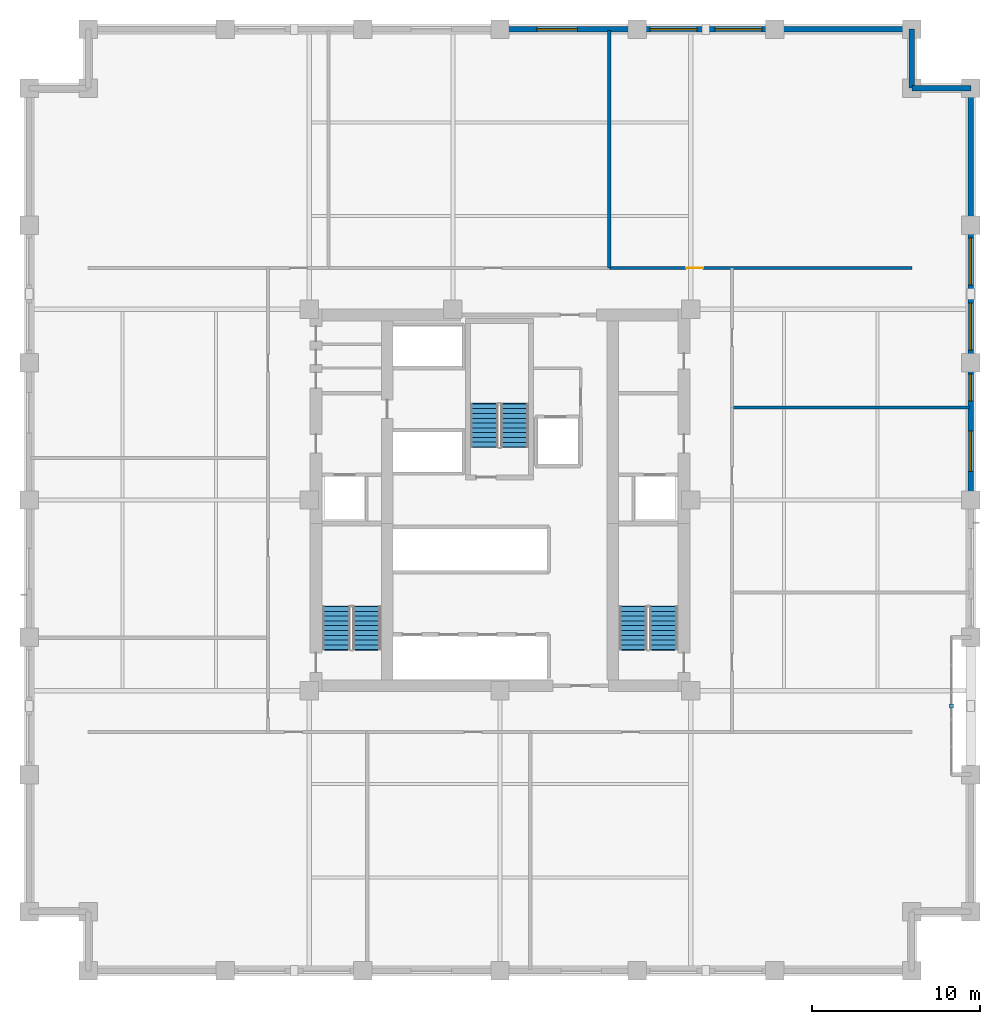
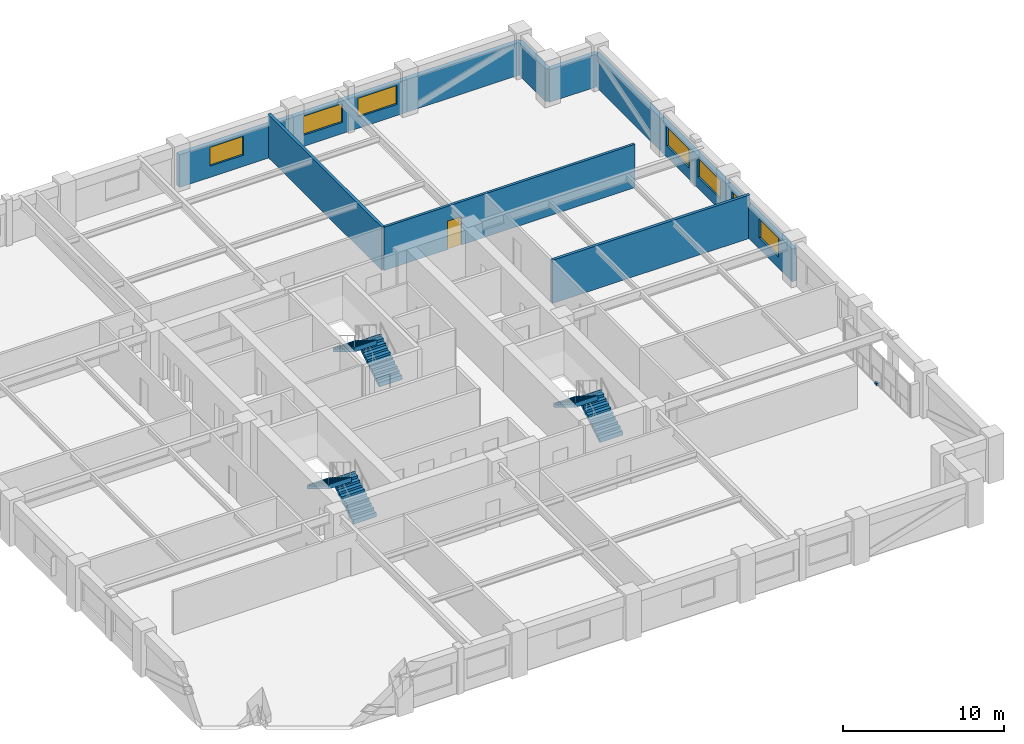
# One storey, part 10 of 13: 11 walls, 7 windows, 6 stair flights, 1 discrete accessory, 1 door, 8 openings, 3 elements without a shape of their own.
"""IFC4 building model written with IfcOpenShell, lengths in metres."""

from ifc_helpers import new_model, si_unit, direction, frame, frame_2d, origin, origin_2d, place, context, subcontext, project, spatial, polyline, rectangle, outline, extrude, material, layer, layer_set, type_object, element, fill, aggregate, save


model = new_model("IFC4")

# Units and contexts
model_context = context("Model", 3, precision=1e-05, world=origin(), true_north=direction((0.0, 1.0)))
body_context = subcontext(model_context, "Body", "Model", "MODEL_VIEW")
ifc_project = project(units=[si_unit("LENGTHUNIT", "METRE"), si_unit("AREAUNIT", "SQUARE_METRE"), si_unit("VOLUMEUNIT", "CUBIC_METRE"), si_unit("PLANEANGLEUNIT", "RADIAN"), si_unit("MASSUNIT", "GRAM", prefix="KILO")], contexts=[model_context])

# Site, building, storey
site_placement = place(None, origin())
site = spatial("IfcSite", under=ifc_project, at=site_placement, CompositionType="ELEMENT")
building_placement = place(site_placement, origin())
building = spatial("IfcBuilding", under=site, at=building_placement, Name="Nhamokura Convention Tower", CompositionType="ELEMENT")
storey_placement = place(building_placement, frame((0.0, 0.0, 92.75)))
storey = spatial("IfcBuildingStorey", under=building, at=storey_placement, Name="L22", CompositionType="ELEMENT", Elevation=92.75)

# Wall, opening, window
ifc_material_1 = material(Name="Bronze-pigmented precast concrete C45/55", Category="concrete")
ifc_layer_1 = layer(ifc_material_1, 0.320068359375)
ifc_layer_set_1 = layer_set([ifc_layer_1], Name="BronzePrecastSpandrel_320")
wall_type_1 = type_object("IfcWallType", Name="BronzePrecastSpandrel_320", PredefinedType="USERDEFINED", material=ifc_layer_set_1)
wall_1_placement = place(storey_placement, frame((32.0, 60.0, 0.0), z_axis=(0.0, 0.0, 1.0), x_axis=(1.0, 0.0, 0.0)))
wall_1 = element("IfcWall", 1, at=wall_1_placement, inside=storey, type_object=wall_type_1, Name="L22 Masonry-Frame Wall NORTH 3", ObjectType="SPANDREL_WALL", PredefinedType="USERDEFINED", context=body_context, shape_type="SweptSolid", body=[
    extrude(rectangle(XDim=8.166748046875, YDim=0.320068359375, at=frame_2d((4.08349609375, 0.0))), origin(), (0.0, 0.0, 1.0), 2.47998046875),
])
opening_1_placement = place(wall_1_placement, frame((2.199951171875, 0.0, 0.85009765625)))
opening_1 = element("IfcOpeningElement", 2, at=opening_1_placement, cuts=wall_1, Name="Opening W-03", PredefinedType="OPENING", context=body_context, shape_type="SweptSolid", body=[
    extrude(rectangle(XDim=2.39990234375, YDim=1.429931640625, at=frame_2d((1.199951171875, 0.71484375))), frame((0.0, 0.169921875, 0.0), z_axis=(0.0, -1.0, 0.0), x_axis=(1.0, 0.0, 0.0)), (0.0, 0.0, 1.0), 0.340087890625),
])
ifc_material_2 = material(Name="Solar-control bronze low-E double glass", Category="glass")
window_type_1 = type_object("IfcWindowType", Name="HotelBayWindow_2400", PartitioningType="DOUBLE_PANEL_VERTICAL", PredefinedType="WINDOW", material=ifc_material_2)
window_1_placement = place(opening_1_placement, origin())
window_1 = element("IfcWindow", 3, at=window_1_placement, inside=storey, type_object=window_type_1, Name="L22 Facade Window NORTH 3-1", OverallHeight=1.429931640625, OverallWidth=2.39990234375, PartitioningType="SINGLE_PANEL", PredefinedType="WINDOW", context=body_context, shape_type="SweptSolid", body=[
    extrude(rectangle(XDim=2.39990234375, YDim=1.429931640625, at=frame_2d((1.199951171875, 0.71484375))), frame((0.0, 0.030029296875, 0.0), z_axis=(0.0, -1.0, 0.0), x_axis=(1.0, 0.0, 0.0)), (0.0, 0.0, 1.0), 0.06005859375),
])
fill(opening_1, window_1)

# Wall, openings, windows
wall_2_placement = place(storey_placement, frame((40.166748046875, 60.0, 0.0), z_axis=(0.0, 0.0, 1.0), x_axis=(1.0, 0.0, 0.0)))
wall_2 = element("IfcWall", 4, at=wall_2_placement, inside=storey, type_object=wall_type_1, Name="L22 Masonry-Frame Wall NORTH 4", ObjectType="SPANDREL_WALL", PredefinedType="USERDEFINED", context=body_context, shape_type="SweptSolid", body=[
    extrude(rectangle(XDim=8.16650390625, YDim=0.320068359375, at=frame_2d((4.083251953125, 0.0))), origin(), (0.0, 0.0, 1.0), 2.47998046875),
])
opening_2_placement = place(wall_2_placement, frame((0.74169921875, 0.0, 0.85009765625)))
opening_2 = element("IfcOpeningElement", 5, at=opening_2_placement, cuts=wall_2, Name="Opening W-04", PredefinedType="OPENING", context=body_context, shape_type="SweptSolid", body=[
    extrude(rectangle(XDim=2.800048828125, YDim=1.429931640625, at=frame_2d((1.39990234375, 0.71484375))), frame((0.0, 0.169921875, 0.0), z_axis=(0.0, -1.0, 0.0), x_axis=(1.0, 0.0, 0.0)), (0.0, 0.0, 1.0), 0.340087890625),
])
opening_3_placement = place(wall_2_placement, frame((4.625, 0.0, 0.85009765625)))
opening_3 = element("IfcOpeningElement", 6, at=opening_3_placement, cuts=wall_2, Name="Opening W-04", PredefinedType="OPENING", context=body_context, shape_type="SweptSolid", body=[
    extrude(rectangle(XDim=2.800048828125, YDim=1.429931640625, at=frame_2d((1.39990234375, 0.71484375))), frame((0.0, 0.169921875, 0.0), z_axis=(0.0, -1.0, 0.0), x_axis=(1.0, 0.0, 0.0)), (0.0, 0.0, 1.0), 0.340087890625),
])
ifc_material_3 = material(Name="Solar-control bronze low-E double glass", Category="glass")
window_type_2 = type_object("IfcWindowType", Name="HotelSuiteWindow_2800", PartitioningType="DOUBLE_PANEL_VERTICAL", PredefinedType="WINDOW", material=ifc_material_3)
window_2_placement = place(opening_2_placement, origin())
window_2 = element("IfcWindow", 7, at=window_2_placement, inside=storey, type_object=window_type_2, Name="L22 Facade Window NORTH 4-1", OverallHeight=1.429931640625, OverallWidth=2.800048828125, PartitioningType="SINGLE_PANEL", PredefinedType="WINDOW", context=body_context, shape_type="SweptSolid", body=[
    extrude(rectangle(XDim=2.800048828125, YDim=1.429931640625, at=frame_2d((1.39990234375, 0.71484375))), frame((0.0, 0.030029296875, 0.0), z_axis=(0.0, -1.0, 0.0), x_axis=(1.0, 0.0, 0.0)), (0.0, 0.0, 1.0), 0.06005859375),
])
fill(opening_2, window_2)
window_3_placement = place(opening_3_placement, origin())
window_3 = element("IfcWindow", 8, at=window_3_placement, inside=storey, type_object=window_type_2, Name="L22 Facade Window NORTH 4-2", OverallHeight=1.429931640625, OverallWidth=2.800048828125, PartitioningType="SINGLE_PANEL", PredefinedType="WINDOW", context=body_context, shape_type="SweptSolid", body=[
    extrude(rectangle(XDim=2.800048828125, YDim=1.429931640625, at=frame_2d((1.39990234375, 0.71484375))), frame((0.0, 0.030029296875, 0.0), z_axis=(0.0, -1.0, 0.0), x_axis=(1.0, 0.0, 0.0)), (0.0, 0.0, 1.0), 0.06005859375),
])
fill(opening_3, window_3)

# Wall
wall_3_placement = place(storey_placement, frame((48.333251953125, 60.0, 0.0), z_axis=(0.0, 0.0, 1.0), x_axis=(1.0, 0.0, 0.0)))
element("IfcWall", 9, at=wall_3_placement, inside=storey, type_object=wall_type_1, Name="L22 Braced-Bay Precast Wall NORTH 5", ObjectType="SPANDREL_WALL", PredefinedType="USERDEFINED", context=body_context, shape_type="SweptSolid", body=[
    extrude(rectangle(XDim=8.166748046875, YDim=0.320068359375, at=frame_2d((4.08349609375, 0.0))), origin(), (0.0, 0.0, 1.0), 2.47998046875),
])

# Wall, openings, windows
wall_4_placement = place(storey_placement, frame((60.0, 40.166748046875, 0.0), z_axis=(0.0, 0.0, 1.0), x_axis=(0.0, -1.0, 0.0)))
wall_4 = element("IfcWall", 10, at=wall_4_placement, inside=storey, type_object=wall_type_1, Name="L22 Masonry-Frame Wall EAST 3", ObjectType="SPANDREL_WALL", PredefinedType="USERDEFINED", context=body_context, shape_type="SweptSolid", body=[
    extrude(rectangle(XDim=8.166748046875, YDim=0.320068359375, at=frame_2d((4.08349609375, 0.0))), origin(), (0.0, 0.0, 1.0), 2.47998046875),
])
opening_4_placement = place(wall_4_placement, frame((0.683349609375, 0.0, 0.85009765625)))
opening_4 = element("IfcOpeningElement", 11, at=opening_4_placement, cuts=wall_4, Name="Opening W-11", PredefinedType="OPENING", context=body_context, shape_type="SweptSolid", body=[
    extrude(rectangle(XDim=1.60009765625, YDim=1.429931640625, at=frame_2d((0.800048828125, 0.71484375))), frame((0.0, 0.169921875, 0.0), z_axis=(0.0, -1.0, 0.0), x_axis=(1.0, 0.0, 0.0)), (0.0, 0.0, 1.0), 0.340087890625),
])
opening_5_placement = place(wall_4_placement, frame((4.066650390625, 0.0, 0.85009765625)))
opening_5 = element("IfcOpeningElement", 12, at=opening_5_placement, cuts=wall_4, Name="Opening W-03", PredefinedType="OPENING", context=body_context, shape_type="SweptSolid", body=[
    extrude(rectangle(XDim=2.39990234375, YDim=1.429931640625, at=frame_2d((1.199951171875, 0.71484375))), frame((0.0, 0.169921875, 0.0), z_axis=(0.0, -1.0, 0.0), x_axis=(1.0, 0.0, 0.0)), (0.0, 0.0, 1.0), 0.340087890625),
])
window_4_placement = place(opening_5_placement, origin())
window_4 = element("IfcWindow", 13, at=window_4_placement, inside=storey, type_object=window_type_1, Name="L22 Facade Window EAST 3-2", OverallHeight=1.429931640625, OverallWidth=2.39990234375, PartitioningType="SINGLE_PANEL", PredefinedType="WINDOW", context=body_context, shape_type="SweptSolid", body=[
    extrude(rectangle(XDim=2.39990234375, YDim=1.429931640625, at=frame_2d((1.199951171875, 0.71484375))), frame((0.0, 0.030029296875, 0.0), z_axis=(0.0, -1.0, 0.0), x_axis=(1.0, 0.0, 0.0)), (0.0, 0.0, 1.0), 0.06005859375),
])
fill(opening_5, window_4)
ifc_material_4 = material(Name="Solar-control bronze low-E double glass", Category="glass")
window_type_3 = type_object("IfcWindowType", Name="NotchCornerWindow_1600", PartitioningType="SINGLE_PANEL", PredefinedType="WINDOW", material=ifc_material_4)
window_5_placement = place(opening_4_placement, origin())
window_5 = element("IfcWindow", 14, at=window_5_placement, inside=storey, type_object=window_type_3, Name="L22 Facade Window EAST 3-1", OverallHeight=1.429931640625, OverallWidth=1.60009765625, PartitioningType="SINGLE_PANEL", PredefinedType="WINDOW", context=body_context, shape_type="SweptSolid", body=[
    extrude(rectangle(XDim=1.60009765625, YDim=1.429931640625, at=frame_2d((0.800048828125, 0.71484375))), frame((0.0, 0.030029296875, 0.0), z_axis=(0.0, -1.0, 0.0), x_axis=(1.0, 0.0, 0.0)), (0.0, 0.0, 1.0), 0.06005859375),
])
fill(opening_4, window_5)

wall_5_placement = place(storey_placement, frame((60.0, 48.333251953125, 0.0), z_axis=(0.0, 0.0, 1.0), x_axis=(0.0, -1.0, 0.0)))
wall_5 = element("IfcWall", 15, at=wall_5_placement, inside=storey, type_object=wall_type_1, Name="L22 Masonry-Frame Wall EAST 4", ObjectType="SPANDREL_WALL", PredefinedType="USERDEFINED", context=body_context, shape_type="SweptSolid", body=[
    extrude(rectangle(XDim=8.16650390625, YDim=0.320068359375, at=frame_2d((4.083251953125, 0.0))), origin(), (0.0, 0.0, 1.0), 2.47998046875),
])
opening_6_placement = place(wall_5_placement, frame((0.74169921875, 0.0, 0.85009765625)))
opening_6 = element("IfcOpeningElement", 16, at=opening_6_placement, cuts=wall_5, Name="Opening W-04", PredefinedType="OPENING", context=body_context, shape_type="SweptSolid", body=[
    extrude(rectangle(XDim=2.800048828125, YDim=1.429931640625, at=frame_2d((1.39990234375, 0.71484375))), frame((0.0, 0.169921875, 0.0), z_axis=(0.0, -1.0, 0.0), x_axis=(1.0, 0.0, 0.0)), (0.0, 0.0, 1.0), 0.340087890625),
])
opening_7_placement = place(wall_5_placement, frame((4.625, 0.0, 0.85009765625)))
opening_7 = element("IfcOpeningElement", 17, at=opening_7_placement, cuts=wall_5, Name="Opening W-04", PredefinedType="OPENING", context=body_context, shape_type="SweptSolid", body=[
    extrude(rectangle(XDim=2.800048828125, YDim=1.429931640625, at=frame_2d((1.39990234375, 0.71484375))), frame((0.0, 0.169921875, 0.0), z_axis=(0.0, -1.0, 0.0), x_axis=(1.0, 0.0, 0.0)), (0.0, 0.0, 1.0), 0.340087890625),
])
window_6_placement = place(opening_6_placement, origin())
window_6 = element("IfcWindow", 18, at=window_6_placement, inside=storey, type_object=window_type_2, Name="L22 Facade Window EAST 4-1", OverallHeight=1.429931640625, OverallWidth=2.800048828125, PartitioningType="SINGLE_PANEL", PredefinedType="WINDOW", context=body_context, shape_type="SweptSolid", body=[
    extrude(rectangle(XDim=2.800048828125, YDim=1.429931640625, at=frame_2d((1.39990234375, 0.71484375))), frame((0.0, 0.030029296875, 0.0), z_axis=(0.0, -1.0, 0.0), x_axis=(1.0, 0.0, 0.0)), (0.0, 0.0, 1.0), 0.06005859375),
])
fill(opening_6, window_6)
window_7_placement = place(opening_7_placement, origin())
window_7 = element("IfcWindow", 19, at=window_7_placement, inside=storey, type_object=window_type_2, Name="L22 Facade Window EAST 4-2", OverallHeight=1.429931640625, OverallWidth=2.800048828125, PartitioningType="SINGLE_PANEL", PredefinedType="WINDOW", context=body_context, shape_type="SweptSolid", body=[
    extrude(rectangle(XDim=2.800048828125, YDim=1.429931640625, at=frame_2d((1.39990234375, 0.71484375))), frame((0.0, 0.030029296875, 0.0), z_axis=(0.0, -1.0, 0.0), x_axis=(1.0, 0.0, 0.0)), (0.0, 0.0, 1.0), 0.06005859375),
])
fill(opening_7, window_7)

# Walls
wall_6_placement = place(storey_placement, frame((60.0, 56.5, 0.0), z_axis=(0.0, 0.0, 1.0), x_axis=(0.0, -1.0, 0.0)))
element("IfcWall", 20, at=wall_6_placement, inside=storey, type_object=wall_type_1, Name="L22 Braced-Bay Precast Wall EAST 5", ObjectType="SPANDREL_WALL", PredefinedType="USERDEFINED", context=body_context, shape_type="SweptSolid", body=[
    extrude(rectangle(XDim=8.166748046875, YDim=0.320068359375, at=frame_2d((4.08349609375, 0.0))), origin(), (0.0, 0.0, 1.0), 2.47998046875),
])
for number, where, z_axis, x_axis, name in (
    (21, (56.5, 56.5, 0.0), (0.0, 0.0, 1.0), (1.0, 0.0, 0.0), "L22 Notched Corner Wall NE1"),
    (22, (56.5, 60.0, 0.0), (0.0, 0.0, 1.0), (0.0, -1.0, 0.0), "L22 Notched Corner Wall NE2"),
):
    element("IfcWall", number, at=place(storey_placement, frame(where, z_axis=z_axis, x_axis=x_axis)), inside=storey, type_object=wall_type_1, Name=name, ObjectType="SPANDREL_WALL", PredefinedType="USERDEFINED", context=body_context, shape_type="SweptSolid", body=[
        extrude(rectangle(XDim=3.5, YDim=0.320068359375, at=frame_2d((1.75, 0.0))), origin(), (0.0, 0.0, 1.0), 2.47998046875),
    ])

# Wall, opening, door
ifc_material_5 = material(Name="Fire-rated gypsum and masonry partition", Category="masonry")
ifc_layer_2 = layer(ifc_material_5, 0.179931640625)
ifc_layer_set_2 = layer_set([ifc_layer_2], Name="CorridorRatedWall_180")
wall_type_2 = type_object("IfcWallType", Name="CorridorRatedWall_180", PredefinedType="STANDARD", material=ifc_layer_set_2)
wall_7_placement = place(storey_placement, frame((38.5, 45.800048828125, 0.0), z_axis=(0.0, 0.0, 1.0), x_axis=(1.0, 0.0, 0.0)))
wall_7 = element("IfcWall", 23, at=wall_7_placement, inside=storey, type_object=wall_type_2, Name="L22 Wall INT-L22-CW-N02", PredefinedType="STANDARD", context=body_context, shape_type="SweptSolid", body=[
    extrude(rectangle(XDim=18.0, YDim=0.179931640625, at=frame_2d((9.0, 0.0))), origin(), (0.0, 0.0, 1.0), 3.280029296875),
])
opening_8_placement = place(wall_7_placement, frame((4.574951171875, 0.0, 0.0)))
opening_8 = element("IfcOpeningElement", 24, at=opening_8_placement, cuts=wall_7, Name="Opening D-07", PredefinedType="OPENING", context=body_context, shape_type="SweptSolid", body=[
    extrude(rectangle(XDim=1.0, YDim=2.14990234375, at=frame_2d((0.5, 1.074951171875))), frame((0.0, 0.099853515625, 0.0), z_axis=(0.0, -1.0, 0.0), x_axis=(1.0, 0.0, 0.0)), (0.0, 0.0, 1.0), 0.199951171875),
])
ifc_material_6 = material(Name="Solid oak hardwood", Category="wood")
door_type = type_object("IfcDoorType", Name="HotelSuiteEntryDoor_1000", OperationType="NOTDEFINED", PredefinedType="DOOR", material=ifc_material_6)
door_placement = place(opening_8_placement, origin())
door = element("IfcDoor", 25, at=door_placement, inside=storey, type_object=door_type, Name="L22 Conference Salon N03 Door", OperationType="SINGLE_SWING_LEFT", OverallHeight=2.14990234375, OverallWidth=1.0, PredefinedType="DOOR", context=body_context, shape_type="SweptSolid", body=[
    extrude(rectangle(XDim=1.0, YDim=2.14990234375, at=frame_2d((0.5, 1.074951171875))), frame((0.0, 0.02490234375, 0.0), z_axis=(0.0, -1.0, 0.0), x_axis=(1.0, 0.0, 0.0)), (0.0, 0.0, 1.0), 0.050048828125),
])
fill(opening_8, door)

# Walls
ifc_material_7 = material(Name="Acoustic twin-stud gypsum partition", Category="masonry")
ifc_layer_3 = layer(ifc_material_7, 0.199951171875)
ifc_layer_set_3 = layer_set([ifc_layer_3], Name="HotelDemisingWall_200")
wall_type_3 = type_object("IfcWallType", Name="HotelDemisingWall_200", PredefinedType="STANDARD", material=ifc_layer_set_3)
for number, where, z_axis, x_axis, name in (
    (26, (38.5, 45.800048828125, 0.0), (0.0, 0.0, 1.0), (0.0, 1.0, 0.0), "L22 Wall INT-L22-RW-N02"),
    (27, (45.800048828125, 37.5, 0.0), (0.0, 0.0, 1.0), (1.0, 0.0, 0.0), "L22 Wall INT-L22-RW-E02"),
):
    element("IfcWall", number, at=place(storey_placement, frame(where, z_axis=z_axis, x_axis=x_axis)), inside=storey, type_object=wall_type_3, Name=name, PredefinedType="STANDARD", context=body_context, shape_type="SweptSolid", body=[
        extrude(rectangle(XDim=14.139892578125, YDim=0.199951171875, at=frame_2d((7.06982421875, 0.0))), origin(), (0.0, 0.0, 1.0), 3.280029296875),
    ])

# Stair, stair flights
ifc_material_8 = material(Name="Concrete C40/50", Category="concrete")
stair_type = type_object("IfcStairType", Name="TowerCoreStair_1650", PredefinedType="HALF_TURN_STAIR", material=ifc_material_8)
stair_1_placement = place(storey_placement, origin())
stair_1 = element("IfcStair", 28, at=stair_1_placement, inside=storey, type_object=stair_type, Name="L22 West Core Smokeproof Stair ST-01", PredefinedType="HALF_TURN_STAIR")
ifc_material_9 = material(Name="Concrete C40/50", Category="concrete")
stair_flight_type = type_object("IfcStairFlightType", Name="TowerCoreStair_1650_Flight", PredefinedType="STRAIGHT", material=ifc_material_9)
stair_flight_1_placement = place(storey_placement, frame((24.074951171875, 23.10009765625, 0.0), z_axis=(0.0, 0.0, 1.0), x_axis=(0.0, 1.0, 0.0)))
stair_flight_1 = element("IfcStairFlight", 29, at=stair_flight_1_placement, type_object=stair_flight_type, Name="ST-01 flight 1", NumberOfRisers=10, NumberOfTreads=9, PredefinedType="STRAIGHT", RiserHeight=0.175, TreadLength=0.285, context=body_context, shape_type="SweptSolid", body=[
    extrude(outline(polyline([(-0.0419921875, 0.0), (0.0, 0.175048828125), (0.284912109375, 0.175048828125), (0.284912109375, 0.35009765625), (0.570068359375, 0.35009765625), (0.570068359375, 0.52490234375), (0.85498046875, 0.52490234375), (0.85498046875, 0.699951171875), (1.139892578125, 0.699951171875), (1.139892578125, 0.875), (1.425048828125, 0.875), (1.425048828125, 1.050048828125), (1.7099609375, 1.050048828125), (1.7099609375, 1.22509765625), (1.9951171875, 1.22509765625), (1.9951171875, 1.39990234375), (2.280029296875, 1.39990234375), (2.280029296875, 1.574951171875), (2.56494140625, 1.574951171875), (2.56494140625, 1.75), (2.60693359375, 1.75), (2.60693359375, 1.399169921875), (2.56494140625, 1.399169921875), (0.286376953125, 0.0), (0.02001953125, -0.1298828125), (-0.0419921875, -0.1298828125), (-0.0419921875, 0.0)])), frame((0.0, 0.824951171875, 0.0), z_axis=(0.0, -1.0, 0.0), x_axis=(1.0, 0.0, 0.0)), (0.0, 0.0, 1.0), 1.64990234375),
])
stair_flight_2_placement = place(storey_placement, frame((22.27490234375, 25.6650390625, 1.75), z_axis=(0.0, 0.0, 1.0), x_axis=(0.0, -1.0, 0.0)))
stair_flight_2 = element("IfcStairFlight", 30, at=stair_flight_2_placement, type_object=stair_flight_type, Name="ST-01 flight 2", NumberOfRisers=10, NumberOfTreads=9, PredefinedType="STRAIGHT", RiserHeight=0.175, TreadLength=0.285, context=body_context, shape_type="SweptSolid", body=[
    extrude(outline(polyline([(-0.0419921875, 0.0), (0.0, 0.175048828125), (0.284912109375, 0.175048828125), (0.284912109375, 0.35009765625), (0.570068359375, 0.35009765625), (0.570068359375, 0.52490234375), (0.85498046875, 0.52490234375), (0.85498046875, 0.699951171875), (1.139892578125, 0.699951171875), (1.139892578125, 0.875), (1.425048828125, 0.875), (1.425048828125, 1.050048828125), (1.7099609375, 1.050048828125), (1.7099609375, 1.22509765625), (1.9951171875, 1.22509765625), (1.9951171875, 1.39990234375), (2.280029296875, 1.39990234375), (2.280029296875, 1.574951171875), (2.56494140625, 1.574951171875), (2.56494140625, 1.75), (2.60693359375, 1.75), (2.60693359375, 1.399169921875), (2.56494140625, 1.399169921875), (0.286376953125, 0.0), (0.02001953125, -0.1298828125), (-0.0419921875, -0.1298828125), (-0.0419921875, 0.0)])), frame((0.0, 0.824951171875, 0.0), z_axis=(0.0, -1.0, 0.0), x_axis=(1.0, 0.0, 0.0)), (0.0, 0.0, 1.0), 1.64990234375),
])
aggregate(stair_1, [stair_flight_1, stair_flight_2])

stair_2_placement = place(storey_placement, origin())
stair_2 = element("IfcStair", 31, at=stair_2_placement, inside=storey, type_object=stair_type, Name="L22 East Core Smokeproof Stair ST-02", PredefinedType="HALF_TURN_STAIR")
stair_flight_3_placement = place(storey_placement, frame((41.72509765625, 23.10009765625, 0.0), z_axis=(0.0, 0.0, 1.0), x_axis=(0.0, 1.0, 0.0)))
stair_flight_3 = element("IfcStairFlight", 32, at=stair_flight_3_placement, type_object=stair_flight_type, Name="ST-02 flight 1", NumberOfRisers=10, NumberOfTreads=9, PredefinedType="STRAIGHT", RiserHeight=0.175, TreadLength=0.285, context=body_context, shape_type="SweptSolid", body=[
    extrude(outline(polyline([(-0.0419921875, 0.0), (0.0, 0.175048828125), (0.284912109375, 0.175048828125), (0.284912109375, 0.35009765625), (0.570068359375, 0.35009765625), (0.570068359375, 0.52490234375), (0.85498046875, 0.52490234375), (0.85498046875, 0.699951171875), (1.139892578125, 0.699951171875), (1.139892578125, 0.875), (1.425048828125, 0.875), (1.425048828125, 1.050048828125), (1.7099609375, 1.050048828125), (1.7099609375, 1.22509765625), (1.9951171875, 1.22509765625), (1.9951171875, 1.39990234375), (2.280029296875, 1.39990234375), (2.280029296875, 1.574951171875), (2.56494140625, 1.574951171875), (2.56494140625, 1.75), (2.60693359375, 1.75), (2.60693359375, 1.399169921875), (2.56494140625, 1.399169921875), (0.286376953125, 0.0), (0.02001953125, -0.1298828125), (-0.0419921875, -0.1298828125), (-0.0419921875, 0.0)])), frame((0.0, 0.824951171875, 0.0), z_axis=(0.0, -1.0, 0.0), x_axis=(1.0, 0.0, 0.0)), (0.0, 0.0, 1.0), 1.64990234375),
])
stair_flight_4_placement = place(storey_placement, frame((39.925048828125, 25.6650390625, 1.75), z_axis=(0.0, 0.0, 1.0), x_axis=(0.0, -1.0, 0.0)))
stair_flight_4 = element("IfcStairFlight", 33, at=stair_flight_4_placement, type_object=stair_flight_type, Name="ST-02 flight 2", NumberOfRisers=10, NumberOfTreads=9, PredefinedType="STRAIGHT", RiserHeight=0.175, TreadLength=0.285, context=body_context, shape_type="SweptSolid", body=[
    extrude(outline(polyline([(-0.0419921875, 0.0), (0.0, 0.175048828125), (0.284912109375, 0.175048828125), (0.284912109375, 0.35009765625), (0.570068359375, 0.35009765625), (0.570068359375, 0.52490234375), (0.85498046875, 0.52490234375), (0.85498046875, 0.699951171875), (1.139892578125, 0.699951171875), (1.139892578125, 0.875), (1.425048828125, 0.875), (1.425048828125, 1.050048828125), (1.7099609375, 1.050048828125), (1.7099609375, 1.22509765625), (1.9951171875, 1.22509765625), (1.9951171875, 1.39990234375), (2.280029296875, 1.39990234375), (2.280029296875, 1.574951171875), (2.56494140625, 1.574951171875), (2.56494140625, 1.75), (2.60693359375, 1.75), (2.60693359375, 1.399169921875), (2.56494140625, 1.399169921875), (0.286376953125, 0.0), (0.02001953125, -0.1298828125), (-0.0419921875, -0.1298828125), (-0.0419921875, 0.0)])), frame((0.0, 0.824951171875, 0.0), z_axis=(0.0, -1.0, 0.0), x_axis=(1.0, 0.0, 0.0)), (0.0, 0.0, 1.0), 1.64990234375),
])
aggregate(stair_2, [stair_flight_3, stair_flight_4])

stair_3_placement = place(storey_placement, origin())
stair_3 = element("IfcStair", 34, at=stair_3_placement, inside=storey, type_object=stair_type, Name="L22 North Core Smokeproof Stair ST-03", PredefinedType="HALF_TURN_STAIR")
stair_flight_5_placement = place(storey_placement, frame((32.875, 35.14990234375, 0.0), z_axis=(0.0, 0.0, 1.0), x_axis=(0.0, 1.0, 0.0)))
stair_flight_5 = element("IfcStairFlight", 35, at=stair_flight_5_placement, type_object=stair_flight_type, Name="ST-03 flight 1", NumberOfRisers=10, NumberOfTreads=9, PredefinedType="STRAIGHT", RiserHeight=0.175, TreadLength=0.285, context=body_context, shape_type="SweptSolid", body=[
    extrude(outline(polyline([(-0.0419921875, 0.0), (0.0, 0.175048828125), (0.284912109375, 0.175048828125), (0.284912109375, 0.35009765625), (0.570068359375, 0.35009765625), (0.570068359375, 0.52490234375), (0.85498046875, 0.52490234375), (0.85498046875, 0.699951171875), (1.139892578125, 0.699951171875), (1.139892578125, 0.875), (1.425048828125, 0.875), (1.425048828125, 1.050048828125), (1.7099609375, 1.050048828125), (1.7099609375, 1.22509765625), (1.9951171875, 1.22509765625), (1.9951171875, 1.39990234375), (2.280029296875, 1.39990234375), (2.280029296875, 1.574951171875), (2.56494140625, 1.574951171875), (2.56494140625, 1.75), (2.60693359375, 1.75), (2.60693359375, 1.399169921875), (2.56494140625, 1.399169921875), (0.286376953125, 0.0), (0.02001953125, -0.1298828125), (-0.0419921875, -0.1298828125), (-0.0419921875, 0.0)])), frame((0.0, 0.824951171875, 0.0), z_axis=(0.0, -1.0, 0.0), x_axis=(1.0, 0.0, 0.0)), (0.0, 0.0, 1.0), 1.64990234375),
])
stair_flight_6_placement = place(storey_placement, frame((31.074951171875, 37.715087890625, 1.75), z_axis=(0.0, 0.0, 1.0), x_axis=(0.0, -1.0, 0.0)))
stair_flight_6 = element("IfcStairFlight", 36, at=stair_flight_6_placement, type_object=stair_flight_type, Name="ST-03 flight 2", NumberOfRisers=10, NumberOfTreads=9, PredefinedType="STRAIGHT", RiserHeight=0.175, TreadLength=0.285, context=body_context, shape_type="SweptSolid", body=[
    extrude(outline(polyline([(-0.0419921875, 0.0), (0.0, 0.175048828125), (0.284912109375, 0.175048828125), (0.284912109375, 0.35009765625), (0.570068359375, 0.35009765625), (0.570068359375, 0.52490234375), (0.85498046875, 0.52490234375), (0.85498046875, 0.699951171875), (1.139892578125, 0.699951171875), (1.139892578125, 0.875), (1.425048828125, 0.875), (1.425048828125, 1.050048828125), (1.7099609375, 1.050048828125), (1.7099609375, 1.22509765625), (1.9951171875, 1.22509765625), (1.9951171875, 1.39990234375), (2.280029296875, 1.39990234375), (2.280029296875, 1.574951171875), (2.56494140625, 1.574951171875), (2.56494140625, 1.75), (2.60693359375, 1.75), (2.60693359375, 1.399169921875), (2.56494140625, 1.399169921875), (0.286376953125, 0.0), (0.02001953125, -0.1298828125), (-0.0419921875, -0.1298828125), (-0.0419921875, 0.0)])), frame((0.0, 0.824951171875, 0.0), z_axis=(0.0, -1.0, 0.0), x_axis=(1.0, 0.0, 0.0)), (0.0, 0.0, 1.0), 1.64990234375),
])
aggregate(stair_3, [stair_flight_5, stair_flight_6])

# Discrete accessory
ifc_material_10 = material(Name="Steel ASTM A572 Gr 50", Category="steel")
discrete_accessory_type = type_object("IfcDiscreteAccessoryType", Name="FacadeOutstandBracket", PredefinedType="BRACKET", material=ifc_material_10)
discrete_accessory_placement = place(storey_placement, frame((58.85009765625, 19.75, -0.02001953125), z_axis=(0.0, 0.0, 1.0), x_axis=(1.0, 0.0, 0.0)))
element("IfcDiscreteAccessory", 37, at=discrete_accessory_placement, inside=storey, type_object=discrete_accessory_type, Name="L22 Scale Slot Base Shoe Bracket EAST 1", PredefinedType="BRACKET", context=body_context, shape_type="SweptSolid", body=[
    extrude(rectangle(XDim=0.219970703125, YDim=0.219970703125, at=origin_2d()), origin(), (0.0, 0.0, 1.0), 0.199951171875),
])

save(model, "model.ifc")
